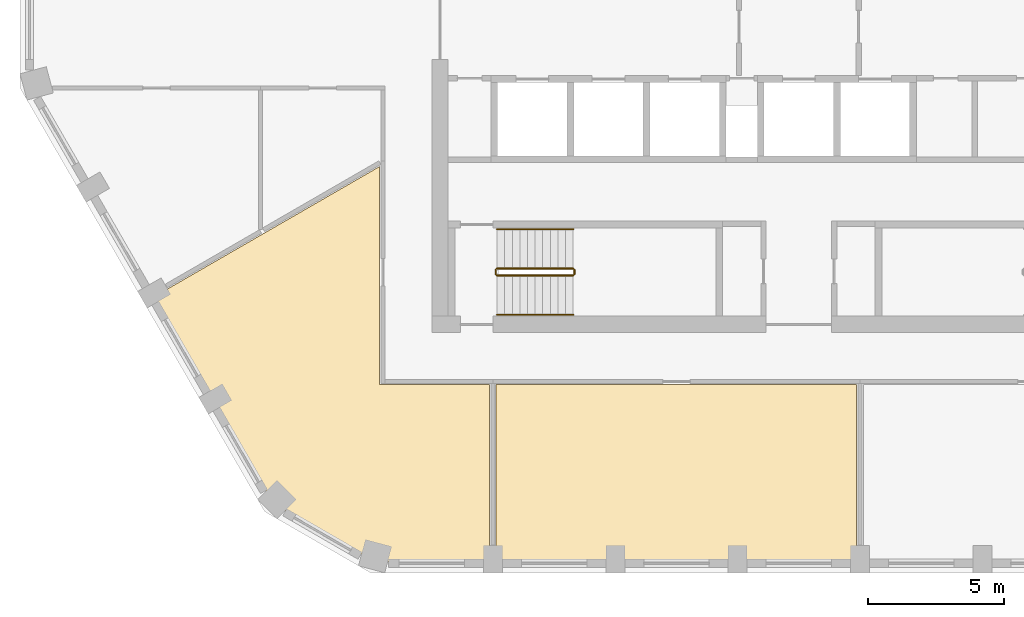
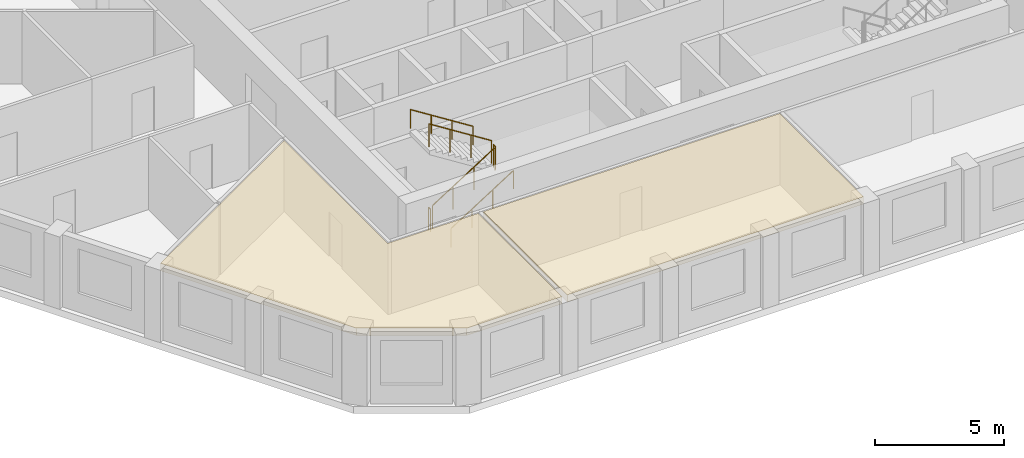
# One storey, part 8 of 11: 6 railings, 2 coverings.
"""IFC4 building model written with IfcOpenShell, lengths in metres."""

from ifc_helpers import new_model, si_unit, direction, frame, origin, origin_2d, place, context, subcontext, project, spatial, polyline, circle, outline, extrude, material, layer, layer_set, type_object, element, save


model = new_model("IFC4")

# Units and contexts
model_context = context("Model", 3, precision=1e-05, world=origin(), true_north=direction((0.0, 1.0)))
body_context = subcontext(model_context, "Body", "Model", "MODEL_VIEW")
ifc_project = project(units=[si_unit("LENGTHUNIT", "METRE"), si_unit("AREAUNIT", "SQUARE_METRE"), si_unit("VOLUMEUNIT", "CUBIC_METRE"), si_unit("PLANEANGLEUNIT", "RADIAN"), si_unit("MASSUNIT", "GRAM", prefix="KILO")], contexts=[model_context])

# Site, building, storey
site_placement = place(None, origin())
site = spatial("IfcSite", under=ifc_project, at=site_placement, CompositionType="ELEMENT")
building_placement = place(site_placement, origin())
building = spatial("IfcBuilding", under=site, at=building_placement, Name="Dhurran Vertical Campus", CompositionType="ELEMENT")
storey_placement = place(building_placement, frame((0.0, 0.0, 278.10009765625)))
storey = spatial("IfcBuildingStorey", under=building, at=storey_placement, Name="L69", CompositionType="ELEMENT", Elevation=278.10009765625)

# Railings
ifc_material_1 = material(Name="Stainless steel balustrade", Category="steel")
railing_type_1 = type_object("IfcRailingType", Name="co-RL-GUARD-1100", PredefinedType="GUARDRAIL", material=ifc_material_1)
railing_1_placement = place(storey_placement, frame((-11.10009765625, -9.14990234375, 0.17724609375)))
element("IfcRailing", 1, at=railing_1_placement, inside=storey, type_object=railing_type_1, Name="L69 ST3 stair guard 1", PredefinedType="GUARDRAIL", context=body_context, shape_type="SweptSolid", body=[
    extrude(circle(Radius=0.02392578125, at=origin_2d()), frame((0.0, 0.0, 1.076171875), z_axis=(0.844908973607, 0.0, 0.534910110503), x_axis=(0.0, 1.0, 0.0)), (0.0, 0.0, 1.0), 3.31396484375),
    extrude(circle(Radius=0.02099609375, at=origin_2d()), origin(), (0.0, 0.0, 1.0), 1.052001953125),
    extrude(circle(Radius=0.02099609375, at=origin_2d()), frame((0.933349609375, 0.0, 0.5908203125)), (0.0, 0.0, 1.0), 1.052001953125),
    extrude(circle(Radius=0.02099609375, at=origin_2d()), frame((1.86669921875, 0.0, 1.181884765625)), (0.0, 0.0, 1.0), 1.052001953125),
    extrude(circle(Radius=0.02099609375, at=origin_2d()), frame((2.800048828125, 0.0, 1.772705078125)), (0.0, 0.0, 1.0), 1.052001953125),
])
railing_2_placement = place(storey_placement, frame((-8.25, -9.10009765625, 1.949951171875)))
element("IfcRailing", 2, at=railing_2_placement, inside=storey, type_object=railing_type_1, Name="L69 ST3 stair guard 2", PredefinedType="GUARDRAIL", context=body_context, shape_type="SweptSolid", body=[
    extrude(circle(Radius=0.02392578125, at=origin_2d()), frame((0.0, 0.0, 1.076171875), z_axis=(0.0, 1.0, 0.0), x_axis=(-1.0, 0.0, 0.0)), (0.0, 0.0, 1.0), 0.150146484375),
    extrude(circle(Radius=0.02099609375, at=origin_2d()), origin(), (0.0, 0.0, 1.0), 1.052001953125),
    extrude(circle(Radius=0.02099609375, at=origin_2d()), frame((0.0, 0.150146484375, 0.0)), (0.0, 0.0, 1.0), 1.052001953125),
])
railing_3_placement = place(storey_placement, frame((-8.300048828125, -8.89990234375, 2.127197265625)))
element("IfcRailing", 3, at=railing_3_placement, inside=storey, type_object=railing_type_1, Name="L69 ST3 stair guard 3", PredefinedType="GUARDRAIL", context=body_context, shape_type="SweptSolid", body=[
    extrude(circle(Radius=0.02392578125, at=origin_2d()), frame((0.0, 0.0, 1.076171875), z_axis=(-0.844908973607, 0.0, 0.534910110503), x_axis=(0.0, -1.0, 0.0)), (0.0, 0.0, 1.0), 3.31396484375),
    extrude(circle(Radius=0.02099609375, at=origin_2d()), origin(), (0.0, 0.0, 1.0), 1.052001953125),
    extrude(circle(Radius=0.02099609375, at=origin_2d()), frame((-0.933349609375, 0.0, 0.5908203125)), (0.0, 0.0, 1.0), 1.052001953125),
    extrude(circle(Radius=0.02099609375, at=origin_2d()), frame((-1.86669921875, 0.0, 1.181884765625)), (0.0, 0.0, 1.0), 1.052001953125),
    extrude(circle(Radius=0.02099609375, at=origin_2d()), frame((-2.800048828125, 0.0, 1.772705078125)), (0.0, 0.0, 1.0), 1.052001953125),
])
railing_4_placement = place(storey_placement, frame((-11.14990234375, -9.10009765625, 0.0)))
element("IfcRailing", 4, at=railing_4_placement, inside=storey, type_object=railing_type_1, Name="L69 ST3 stair guard 4", PredefinedType="GUARDRAIL", context=body_context, shape_type="SweptSolid", body=[
    extrude(circle(Radius=0.02392578125, at=origin_2d()), frame((0.0, 0.0, 1.076171875), z_axis=(0.0, 1.0, 0.0), x_axis=(-1.0, 0.0, 0.0)), (0.0, 0.0, 1.0), 0.150146484375),
    extrude(circle(Radius=0.02099609375, at=origin_2d()), origin(), (0.0, 0.0, 1.0), 1.052001953125),
    extrude(circle(Radius=0.02099609375, at=origin_2d()), frame((0.0, 0.150146484375, 0.0)), (0.0, 0.0, 1.0), 1.052001953125),
])
ifc_material_2 = material(Name="Stainless steel handrail", Category="steel")
railing_type_2 = type_object("IfcRailingType", Name="co-RL-HANDRAIL-900", PredefinedType="HANDRAIL", material=ifc_material_2)
railing_5_placement = place(storey_placement, frame((-11.10009765625, -10.60009765625, 0.17724609375)))
element("IfcRailing", 5, at=railing_5_placement, inside=storey, type_object=railing_type_2, Name="L69 ST3 stair handrail 1", PredefinedType="HANDRAIL", context=body_context, shape_type="SweptSolid", body=[
    extrude(circle(Radius=0.02392578125, at=origin_2d()), frame((0.0, 0.0, 0.8759765625), z_axis=(0.844908973607, 0.0, 0.534910110503), x_axis=(0.0, 1.0, 0.0)), (0.0, 0.0, 1.0), 3.31396484375),
    extrude(circle(Radius=0.02099609375, at=origin_2d()), origin(), (0.0, 0.0, 1.0), 0.851806640625),
    extrude(circle(Radius=0.02099609375, at=origin_2d()), frame((0.933349609375, 0.0, 0.5908203125)), (0.0, 0.0, 1.0), 0.851806640625),
    extrude(circle(Radius=0.02099609375, at=origin_2d()), frame((1.86669921875, 0.0, 1.181884765625)), (0.0, 0.0, 1.0), 0.851806640625),
    extrude(circle(Radius=0.02099609375, at=origin_2d()), frame((2.800048828125, 0.0, 1.772705078125)), (0.0, 0.0, 1.0), 0.851806640625),
])
railing_6_placement = place(storey_placement, frame((-8.300048828125, -7.449951171875, 2.127197265625)))
element("IfcRailing", 6, at=railing_6_placement, inside=storey, type_object=railing_type_2, Name="L69 ST3 stair handrail 2", PredefinedType="HANDRAIL", context=body_context, shape_type="SweptSolid", body=[
    extrude(circle(Radius=0.02392578125, at=origin_2d()), frame((0.0, 0.0, 0.8759765625), z_axis=(-0.844908973607, 0.0, 0.534910110503), x_axis=(0.0, -1.0, 0.0)), (0.0, 0.0, 1.0), 3.31396484375),
    extrude(circle(Radius=0.02099609375, at=origin_2d()), origin(), (0.0, 0.0, 1.0), 0.851806640625),
    extrude(circle(Radius=0.02099609375, at=origin_2d()), frame((-0.933349609375, 0.0, 0.5908203125)), (0.0, 0.0, 1.0), 0.851806640625),
    extrude(circle(Radius=0.02099609375, at=origin_2d()), frame((-1.86669921875, 0.0, 1.181884765625)), (0.0, 0.0, 1.0), 0.851806640625),
    extrude(circle(Radius=0.02099609375, at=origin_2d()), frame((-2.800048828125, 0.0, 1.772705078125)), (0.0, 0.0, 1.0), 0.851806640625),
])

# Coverings
ifc_material_3 = material(Name="Mineral fibre ceiling tiles on suspended grid")
ifc_layer = layer(ifc_material_3, 0.35009765625)
ifc_layer_set = layer_set([ifc_layer], Name="Mineral fibre ceiling tiles on suspended grid")
covering_type = type_object("IfcCoveringType", Name="fl-CE-350 suspended ceiling", PredefinedType="CEILING", material=ifc_layer_set)
covering_1_placement = place(storey_placement, frame((0.0, 0.0, 3.074951171875)))
element("IfcCovering", 7, at=covering_1_placement, inside=storey, type_object=covering_type, Name="Ceiling 69-07", PredefinedType="CEILING", context=body_context, shape_type="SweptSolid", body=[
    extrude(outline(polyline([(-15.637939453125, -19.66796875), (-19.339111328125, -17.531005859375), (-23.722900390625, -9.93798828125), (-15.419921875, -5.14404296875), (-15.419921875, -13.169921875), (-11.3701171875, -13.169921875), (-11.3701171875, -19.66796875), (-15.637939453125, -19.66796875)])), origin(), (0.0, 0.0, 1.0), 0.349853515625),
])
covering_2_placement = place(storey_placement, frame((0.0, 0.0, 3.074951171875)))
element("IfcCovering", 8, at=covering_2_placement, inside=storey, type_object=covering_type, Name="Ceiling 69-09", PredefinedType="CEILING", context=body_context, shape_type="SweptSolid", body=[
    extrude(outline(polyline([(2.1298828125, -19.66796875), (-11.1298828125, -19.66796875), (-11.1298828125, -13.169921875), (2.1298828125, -13.169921875), (2.1298828125, -19.66796875)])), origin(), (0.0, 0.0, 1.0), 0.349853515625),
])

save(model, "model.ifc")
